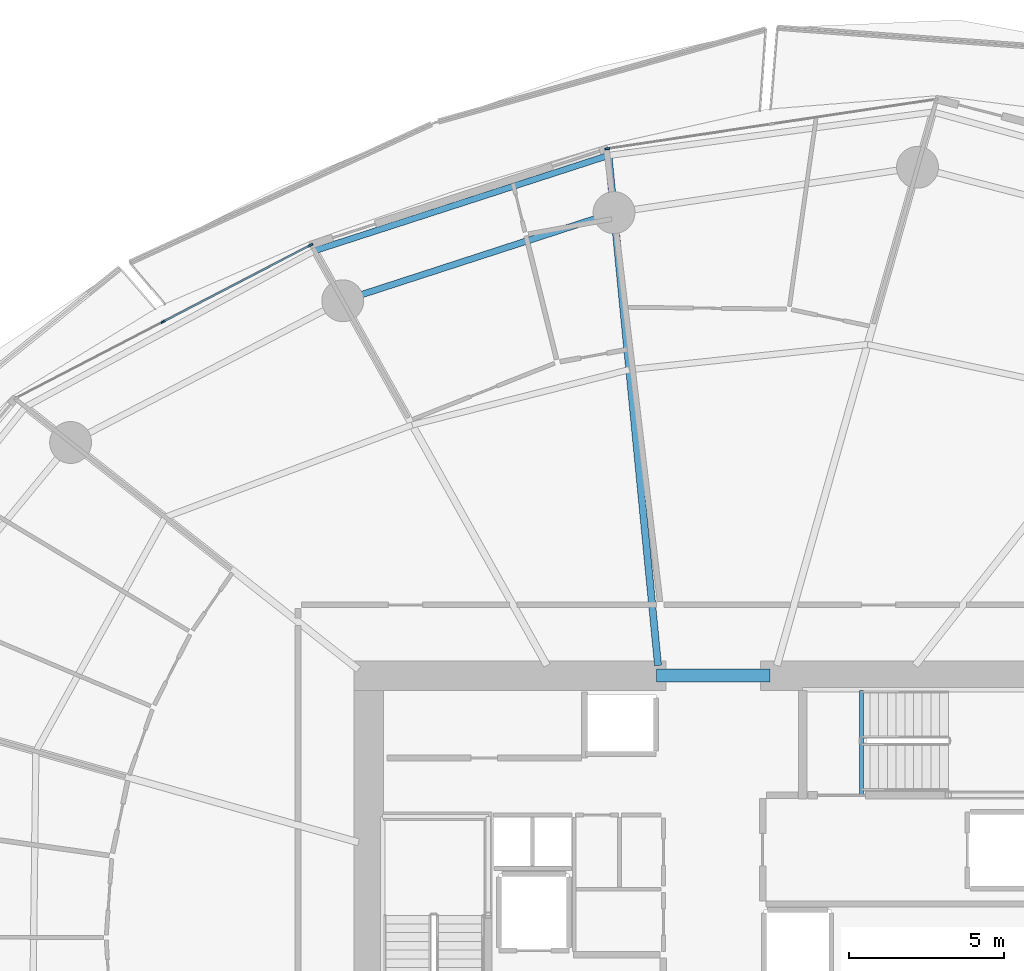
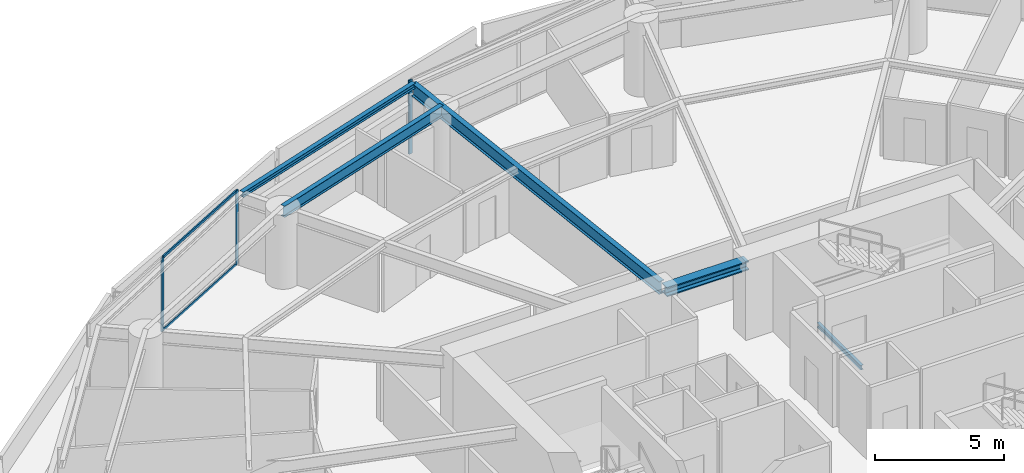
# One storey, part 13 of 32: 5 beams, 5 members, 2 elements without a shape of their own.
"""IFC4 building model written with IfcOpenShell, lengths in metres."""

from ifc_helpers import new_model, si_unit, direction, frame, origin, origin_2d, place, context, subcontext, project, spatial, rectangle, i_section, extrude, material, layer, layer_set, material_profile, profile_set, type_object, element, aggregate, save


model = new_model("IFC4")

# Units and contexts
model_context = context("Model", 3, precision=1e-05, world=origin(), true_north=direction((0.0, 1.0)))
body_context = subcontext(model_context, "Body", "Model", "MODEL_VIEW")
ifc_project = project(units=[si_unit("LENGTHUNIT", "METRE"), si_unit("AREAUNIT", "SQUARE_METRE"), si_unit("VOLUMEUNIT", "CUBIC_METRE"), si_unit("PLANEANGLEUNIT", "RADIAN"), si_unit("MASSUNIT", "GRAM", prefix="KILO")], contexts=[model_context])

# Site, building, storey
site_placement = place(None, origin())
site = spatial("IfcSite", under=ifc_project, at=site_placement, CompositionType="ELEMENT")
building_placement = place(site_placement, origin())
building = spatial("IfcBuilding", under=site, at=building_placement, Name="Kazma Halo Residences", CompositionType="ELEMENT")
storey_placement = place(building_placement, frame((0.0, 0.0, 63.89990234375)))
storey = spatial("IfcBuildingStorey", under=building, at=storey_placement, Name="L15", CompositionType="ELEMENT", Elevation=63.89990234375)

# Beams
ifc_material_1 = material(Name="Steel S355", Category="steel")
ifc_material_profile_1 = material_profile(ifc_material_1, i_section(OverallWidth=0.201904296875, OverallDepth=0.2470703125, WebThickness=0.00732421875, FlangeThickness=0.010986328125, FilletRadius=0.011962890625, at=origin_2d()), Name="W250x49.1")
ifc_profile_set_1 = profile_set([ifc_material_profile_1], Name="Steel S355")
beam_type_1 = type_object("IfcBeamType", Name="BM-BAL-CANT", PredefinedType="BEAM", material=ifc_profile_set_1)
beam_1_placement = place(storey_placement, frame((45.052734375, 67.230712890625, 3.376708984375), z_axis=(-0.951307246639, -0.308244257842, 0.0), x_axis=(0.308244257842, -0.951307246639, 0.0)))
element("IfcBeam", 1, at=beam_1_placement, inside=storey, type_object=beam_type_1, Name="L15 wave-balcony tie beam 04", PredefinedType="BEAM", context=body_context, shape_type="SweptSolid", body=[
    extrude(i_section(OverallWidth=0.201904296875, OverallDepth=0.2470703125, WebThickness=0.00732421875, FlangeThickness=0.010986328125, FilletRadius=0.011962890625, at=origin_2d()), origin(), (0.0, 0.0, 1.0), 9.949462890625),
])
ifc_material_profile_2 = material_profile(ifc_material_1, i_section(OverallWidth=0.408935546875, OverallDepth=0.425048828125, WebThickness=0.03271484375, FlangeThickness=0.052490234375, FilletRadius=0.02001953125, at=origin_2d()), Name="W360x421")
ifc_profile_set_2 = profile_set([ifc_material_profile_2], Name="Steel S355")
beam_type_2 = type_object("IfcBeamType", Name="BM-CORE-W360H", PredefinedType="BEAM", material=ifc_profile_set_2)
beam_2_placement = place(storey_placement, frame((46.60009765625, 50.47509765625, 3.28759765625), z_axis=(1.0, 0.0, 0.0), x_axis=(0.0, 1.0, 0.0)))
element("IfcBeam", 2, at=beam_2_placement, inside=storey, type_object=beam_type_2, Name="L15 core coupling beam N", PredefinedType="BEAM", context=body_context, shape_type="SweptSolid", body=[
    extrude(i_section(OverallWidth=0.408935546875, OverallDepth=0.425048828125, WebThickness=0.03271484375, FlangeThickness=0.052490234375, FilletRadius=0.02001953125, at=origin_2d()), origin(), (0.0, 0.0, 1.0), 3.64990234375),
])
ifc_material_profile_3 = material_profile(ifc_material_1, i_section(OverallWidth=0.22802734375, OverallDepth=0.60791015625, WebThickness=0.01123046875, FlangeThickness=0.017333984375, FilletRadius=0.01806640625, at=origin_2d()), Name="W610x113")
ifc_profile_set_3 = profile_set([ifc_material_profile_3], Name="Steel S355")
beam_type_3 = type_object("IfcBeamType", Name="BM-RAD-W610", PredefinedType="BEAM", material=ifc_profile_set_3)
beam_3_placement = place(storey_placement, frame((46.64990234375, 50.800048828125, 3.196044921875), z_axis=(-0.096750509471, 0.995308665147, 0.0), x_axis=(-0.995308665147, -0.096750509471, 0.0)))
element("IfcBeam", 3, at=beam_3_placement, inside=storey, type_object=beam_type_3, Name="L15 radial floor beam 04", PredefinedType="BEAM", context=body_context, shape_type="SweptSolid", body=[
    extrude(i_section(OverallWidth=0.22802734375, OverallDepth=0.60791015625, WebThickness=0.01123046875, FlangeThickness=0.017333984375, FilletRadius=0.01806640625, at=origin_2d()), origin(), (0.0, 0.0, 1.0), 16.508056640625),
])
ifc_material_profile_4 = material_profile(ifc_material_1, i_section(OverallWidth=0.208984375, OverallDepth=0.532958984375, WebThickness=0.01025390625, FlangeThickness=0.015625, FilletRadius=0.01611328125, at=origin_2d()), Name="W530x92")
ifc_profile_set_4 = profile_set([ifc_material_profile_4], Name="Steel S355")
beam_type_4 = type_object("IfcBeamType", Name="BM-SPN-W530", PredefinedType="BEAM", material=ifc_profile_set_4)
beam_4_placement = place(storey_placement, frame((45.231689453125, 65.389404296875, 3.233642578125), z_axis=(-0.951054956346, -0.309021795363, 0.0), x_axis=(0.309021795363, -0.951054956346, 0.0)))
element("IfcBeam", 4, at=beam_4_placement, inside=storey, type_object=beam_type_4, Name="L15 perimeter ring beam 04", PredefinedType="BEAM", context=body_context, shape_type="SweptSolid", body=[
    extrude(i_section(OverallWidth=0.208984375, OverallDepth=0.532958984375, WebThickness=0.01025390625, FlangeThickness=0.015625, FilletRadius=0.01611328125, at=origin_2d()), origin(), (0.0, 0.0, 1.0), 9.189697265625),
])
ifc_material_profile_5 = material_profile(ifc_material_1, i_section(OverallWidth=0.133056640625, OverallDepth=0.20703125, WebThickness=0.005859375, FlangeThickness=0.00830078125, FilletRadius=0.010009765625, at=origin_2d()), Name="W200x26.6")
ifc_profile_set_5 = profile_set([ifc_material_profile_5], Name="Steel S355")
beam_type_5 = type_object("IfcBeamType", Name="BM-TRIM-W200", PredefinedType="BEAM", material=ifc_profile_set_5)
beam_5_placement = place(storey_placement, frame((53.199951171875, 46.6201171875, -0.35986328125), z_axis=(0.0, 1.0, 0.0), x_axis=(-1.0, 0.0, 0.0)))
element("IfcBeam", 5, at=beam_5_placement, inside=storey, type_object=beam_type_5, Name="L15 ST-02 floor landing support beam", PredefinedType="BEAM", context=body_context, shape_type="SweptSolid", body=[
    extrude(i_section(OverallWidth=0.133056640625, OverallDepth=0.20703125, WebThickness=0.005859375, FlangeThickness=0.00830078125, FilletRadius=0.010009765625, at=origin_2d()), origin(), (0.0, 0.0, 1.0), 3.3798828125),
])

# Curtain wall, member
ifc_material_2 = material(Name="Aluminium AW-6063 T6 and Triple-Silver Low-E Glass", Category="aluminium")
ifc_layer = layer(ifc_material_2, 0.159912109375)
ifc_layer_set = layer_set([ifc_layer], Name="Aluminium AW-6063 T6 and Triple-Silver Low-E Glass")
curtain_wall_type = type_object("IfcCurtainWallType", Name="CW-SYS-2", PredefinedType="NOTDEFINED", material=ifc_layer_set)
curtain_wall_1_placement = place(storey_placement, origin())
curtain_wall_1 = element("IfcCurtainWall", 6, at=curtain_wall_1_placement, inside=storey, type_object=curtain_wall_type, Name="L15 unitised curtain wall B03", PredefinedType="NOTDEFINED")
ifc_material_3 = material(Name="Aluminium AW-6063 T6", Category="aluminium")
ifc_material_profile_6 = material_profile(ifc_material_3, rectangle(XDim=0.06005859375, YDim=0.159912109375, at=origin_2d()), Name="CWM-60x160")
ifc_profile_set_6 = profile_set([ifc_material_profile_6], Name="Aluminium AW-6063 T6")
member_type_1 = type_object("IfcMemberType", Name="CW-SYS-2-MUL", PredefinedType="MULLION", material=ifc_profile_set_6)
member_1_placement = place(storey_placement, frame((45.018310546875, 67.447509765625, 0.0), z_axis=(0.0, 0.0, 1.0), x_axis=(0.148657272805, -0.988888777994, 0.0)))
member_1 = element("IfcMember", 7, at=member_1_placement, type_object=member_type_1, Name="CWS-2 mullion 3", PredefinedType="MULLION", context=body_context, shape_type="SweptSolid", body=[
    extrude(rectangle(XDim=0.06005859375, YDim=0.159912109375, at=origin_2d()), origin(), (0.0, 0.0, 1.0), 3.5),
])
aggregate(curtain_wall_1, [member_1])

# Curtain wall, members
curtain_wall_2_placement = place(storey_placement, origin())
curtain_wall_2 = element("IfcCurtainWall", 8, at=curtain_wall_2_placement, inside=storey, type_object=curtain_wall_type, Name="L15 unitised curtain wall B05", PredefinedType="NOTDEFINED")
member_2_placement = place(storey_placement, frame((35.45458984375, 64.340087890625, 0.0), z_axis=(0.0, 0.0, 1.0), x_axis=(0.460995912628, -0.887402258584, 0.0)))
member_2 = element("IfcMember", 9, at=member_2_placement, type_object=member_type_1, Name="CWS-2 mullion 1", PredefinedType="MULLION", context=body_context, shape_type="SweptSolid", body=[
    extrude(rectangle(XDim=0.06005859375, YDim=0.159912109375, at=origin_2d()), origin(), (0.0, 0.0, 1.0), 3.5),
])
member_3_placement = place(storey_placement, frame((30.7080078125, 61.874267578125, 0.0), z_axis=(0.0, 0.0, 1.0), x_axis=(0.460995912628, -0.887402258584, 0.0)))
member_3 = element("IfcMember", 10, at=member_3_placement, type_object=member_type_1, Name="CWS-2 mullion 2", PredefinedType="MULLION", context=body_context, shape_type="SweptSolid", body=[
    extrude(rectangle(XDim=0.06005859375, YDim=0.159912109375, at=origin_2d()), origin(), (0.0, 0.0, 1.0), 3.5),
])
ifc_material_profile_7 = material_profile(ifc_material_3, rectangle(XDim=0.06005859375, YDim=0.1201171875, at=origin_2d()), Name="CWT-60x120")
ifc_profile_set_7 = profile_set([ifc_material_profile_7], Name="Aluminium AW-6063 T6")
member_type_2 = type_object("IfcMemberType", Name="CW-SYS-2-TRN", PredefinedType="USERDEFINED", material=ifc_profile_set_7)
member_4_placement = place(storey_placement, frame((35.427978515625, 64.326171875, 0.030029296875), z_axis=(-0.887414738583, -0.460971888238, 0.0), x_axis=(0.460971888238, -0.887414738583, 0.0)))
member_4 = element("IfcMember", 11, at=member_4_placement, type_object=member_type_2, Name="CWS-2 transom 1.1", ObjectType="TRANSOM", PredefinedType="USERDEFINED", context=body_context, shape_type="SweptSolid", body=[
    extrude(rectangle(XDim=0.06005859375, YDim=0.1201171875, at=origin_2d()), origin(), (0.0, 0.0, 1.0), 5.288818359375),
])
member_5_placement = place(storey_placement, frame((35.427978515625, 64.326171875, 3.47021484375), z_axis=(-0.887414738583, -0.460971888238, 0.0), x_axis=(0.460971888238, -0.887414738583, 0.0)))
member_5 = element("IfcMember", 12, at=member_5_placement, type_object=member_type_2, Name="CWS-2 transom 1.2", ObjectType="TRANSOM", PredefinedType="USERDEFINED", context=body_context, shape_type="SweptSolid", body=[
    extrude(rectangle(XDim=0.06005859375, YDim=0.1201171875, at=origin_2d()), origin(), (0.0, 0.0, 1.0), 5.288818359375),
])
aggregate(curtain_wall_2, [member_2, member_3, member_4, member_5])

save(model, "model.ifc")
